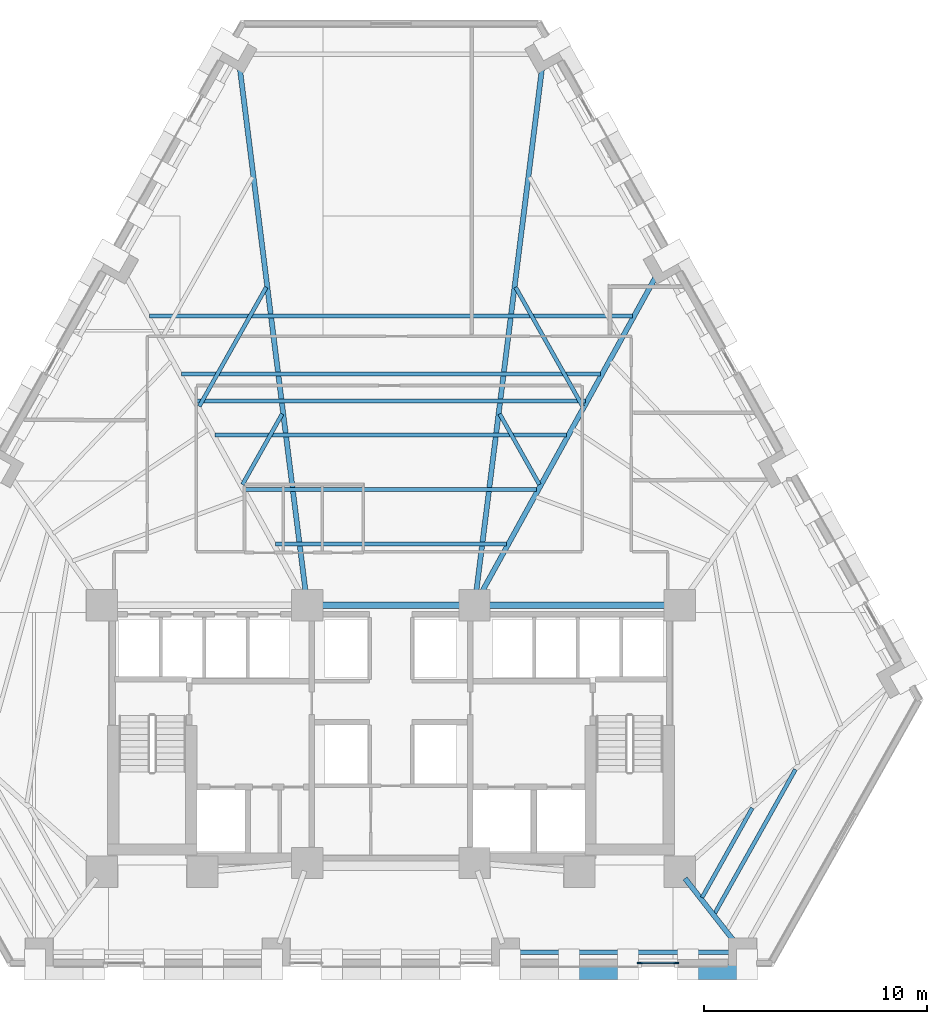
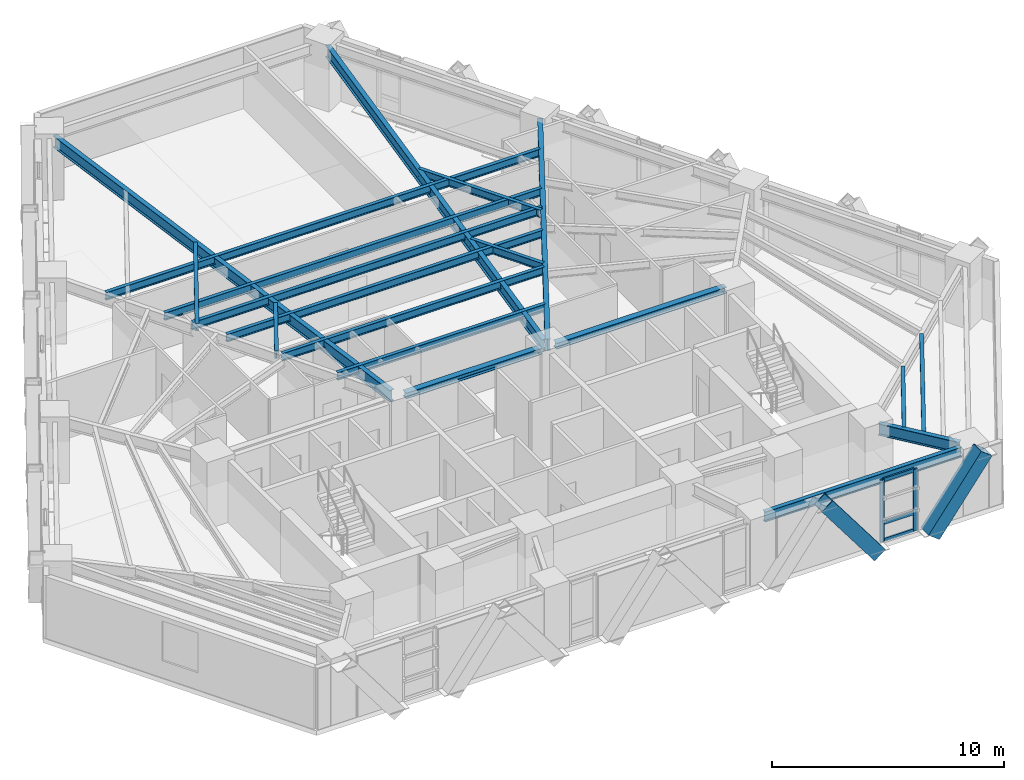
# One storey, part 3 of 13: 19 beams, 7 members, 1 element without a shape of its own.
"""IFC4 building model written with IfcOpenShell, lengths in metres."""

from ifc_helpers import new_model, si_unit, direction, frame, origin, origin_2d, place, context, subcontext, project, spatial, rectangle, hollow_rectangle, i_section, extrude, material, material_profile, profile_set, type_object, element, aggregate, save


model = new_model("IFC4")

# Units and contexts
model_context = context("Model", 3, precision=1e-05, world=origin(), true_north=direction((0.0, 1.0)))
body_context = subcontext(model_context, "Body", "Model", "MODEL_VIEW")
ifc_project = project(units=[si_unit("LENGTHUNIT", "METRE"), si_unit("AREAUNIT", "SQUARE_METRE"), si_unit("VOLUMEUNIT", "CUBIC_METRE"), si_unit("PLANEANGLEUNIT", "RADIAN"), si_unit("MASSUNIT", "GRAM", prefix="KILO")], contexts=[model_context])

# Site, building, storey
site_placement = place(None, origin())
site = spatial("IfcSite", under=ifc_project, at=site_placement, CompositionType="ELEMENT")
building_placement = place(site_placement, origin())
building = spatial("IfcBuilding", under=site, at=building_placement, Name="Quenlor Broadcast Tower", CompositionType="ELEMENT")
storey_placement = place(building_placement, frame((0.0, 0.0, 45.10009765625)))
storey = spatial("IfcBuildingStorey", under=building, at=storey_placement, Name="L11", CompositionType="ELEMENT", Elevation=45.10009765625)

# Curtain wall, members
ifc_material_1 = material(Name="Architectural Terracotta and Low-E Glazing", Category="masonry")
curtain_wall_type = type_object("IfcCurtainWallType", Name="Unitised Terracotta Curtain Wall System Z1", PredefinedType="NOTDEFINED", material=ifc_material_1)
curtain_wall_placement = place(storey_placement, origin())
curtain_wall = element("IfcCurtainWall", 1, at=curtain_wall_placement, inside=storey, type_object=curtain_wall_type, Name="L11 Curtain Wall CW1 (L11-SA-G1)", PredefinedType="NOTDEFINED")
ifc_material_2 = material(Name="Aluminium 6063-T6", Category="aluminium")
ifc_material_profile_1 = material_profile(ifc_material_2, rectangle(XDim=0.080078125, YDim=0.219970703125, at=origin_2d()))
ifc_profile_set_1 = profile_set([ifc_material_profile_1], Name="Aluminium 6063-T6 MULL80x220")
member_type_1 = type_object("IfcMemberType", Name="CW1 Aluminium Mullion MULL_CW1", PredefinedType="MULLION", material=ifc_profile_set_1)
member_1_placement = place(storey_placement, frame((12.794921875, -20.840087890625, 0.0), z_axis=(0.0, 0.0, 1.0), x_axis=(0.0, -1.0, 0.0)))
member_1 = element("IfcMember", 2, at=member_1_placement, type_object=member_type_1, Name="CW1 mullion 1", PredefinedType="MULLION", context=body_context, shape_type="SweptSolid", body=[
    extrude(rectangle(XDim=0.080078125, YDim=0.219970703125, at=origin_2d()), origin(), (0.0, 0.0, 1.0), 3.25),
])
member_2_placement = place(storey_placement, frame((11.146484375, -20.840087890625, 0.0), z_axis=(0.0, 0.0, 1.0), x_axis=(0.0, -1.0, 0.0)))
member_2 = element("IfcMember", 3, at=member_2_placement, type_object=member_type_1, Name="CW1 mullion 2", PredefinedType="MULLION", context=body_context, shape_type="SweptSolid", body=[
    extrude(rectangle(XDim=0.080078125, YDim=0.219970703125, at=origin_2d()), origin(), (0.0, 0.0, 1.0), 3.25),
])
ifc_material_3 = material(Name="Aluminium 6063-T6", Category="aluminium")
ifc_material_profile_2 = material_profile(ifc_material_3, rectangle(XDim=0.080078125, YDim=0.179931640625, at=origin_2d()))
ifc_profile_set_2 = profile_set([ifc_material_profile_2], Name="Aluminium 6063-T6 TRAN80x180")
member_type_2 = type_object("IfcMemberType", Name="CW1 Aluminium Transom TRAN_CW1", PredefinedType="USERDEFINED", material=ifc_profile_set_2)
member_3_placement = place(storey_placement, frame((12.7548828125, -20.840087890625, 0.039794921875), z_axis=(-1.0, 0.0, 0.0), x_axis=(0.0, -1.0, 0.0)))
member_3 = element("IfcMember", 4, at=member_3_placement, type_object=member_type_2, Name="CW1 transom 1.1", ObjectType="TRANSOM", PredefinedType="USERDEFINED", context=body_context, shape_type="SweptSolid", body=[
    extrude(rectangle(XDim=0.080078125, YDim=0.179931640625, at=origin_2d()), origin(), (0.0, 0.0, 1.0), 1.568359375),
])
member_4_placement = place(storey_placement, frame((12.7548828125, -20.840087890625, 0.949951171875), z_axis=(-1.0, 0.0, 0.0), x_axis=(0.0, -1.0, 0.0)))
member_4 = element("IfcMember", 5, at=member_4_placement, type_object=member_type_2, Name="CW1 transom 1.2", ObjectType="TRANSOM", PredefinedType="USERDEFINED", context=body_context, shape_type="SweptSolid", body=[
    extrude(rectangle(XDim=0.080078125, YDim=0.179931640625, at=origin_2d()), origin(), (0.0, 0.0, 1.0), 1.568359375),
])
member_5_placement = place(storey_placement, frame((12.7548828125, -20.840087890625, 3.2099609375), z_axis=(-1.0, 0.0, 0.0), x_axis=(0.0, -1.0, 0.0)))
member_5 = element("IfcMember", 6, at=member_5_placement, type_object=member_type_2, Name="CW1 transom 1.3", ObjectType="TRANSOM", PredefinedType="USERDEFINED", context=body_context, shape_type="SweptSolid", body=[
    extrude(rectangle(XDim=0.080078125, YDim=0.179931640625, at=origin_2d()), origin(), (0.0, 0.0, 1.0), 1.568359375),
])
aggregate(curtain_wall, [member_1, member_2, member_3, member_4, member_5])

# Beams
ifc_material_4 = material(Name="Steel S355", Category="steel")
ifc_material_profile_3 = material_profile(ifc_material_4, i_section(OverallWidth=0.304931640625, OverallDepth=0.30810546875, WebThickness=0.010009765625, FlangeThickness=0.015380859375, FilletRadius=0.0166015625, at=origin_2d()))
ifc_profile_set_3 = profile_set([ifc_material_profile_3], Name="Steel S355 310UC96.8")
beam_type_1 = type_object("IfcBeamType", Name="Core Header Beam Steel S355 310UC96.8", PredefinedType="BEAM", material=ifc_profile_set_3)
beam_1_placement = place(storey_placement, frame((-3.389892578125, -4.800048828125, 3.095947265625), z_axis=(1.0, 0.0, 0.0), x_axis=(0.0, 1.0, 0.0)))
element("IfcBeam", 7, at=beam_1_placement, inside=storey, type_object=beam_type_1, Name="L11 Core Header Beam 2", PredefinedType="BEAM", context=body_context, shape_type="SweptSolid", body=[
    extrude(i_section(OverallWidth=0.304931640625, OverallDepth=0.30810546875, WebThickness=0.010009765625, FlangeThickness=0.015380859375, FilletRadius=0.0166015625, at=origin_2d()), origin(), (0.0, 0.0, 1.0), 6.77978515625),
])
ifc_material_5 = material(Name="Steel S355", Category="steel")
ifc_material_profile_4 = material_profile(ifc_material_5, i_section(OverallWidth=0.306884765625, OverallDepth=0.314697265625, WebThickness=0.011962890625, FlangeThickness=0.018798828125, FilletRadius=0.0166015625, at=origin_2d()))
ifc_profile_set_4 = profile_set([ifc_material_profile_4], Name="Steel S355 310UC118")
beam_type_2 = type_object("IfcBeamType", Name="Core Tie Beam Steel S355 310UC118", PredefinedType="BEAM", material=ifc_profile_set_4)
beam_2_placement = place(storey_placement, frame((4.110107421875, -4.800048828125, 3.092529296875), z_axis=(1.0, 0.0, 0.0), x_axis=(0.0, 1.0, 0.0)))
element("IfcBeam", 8, at=beam_2_placement, inside=storey, type_object=beam_type_2, Name="L11 Core Tie Beam 3", PredefinedType="BEAM", context=body_context, shape_type="SweptSolid", body=[
    extrude(i_section(OverallWidth=0.306884765625, OverallDepth=0.314697265625, WebThickness=0.011962890625, FlangeThickness=0.018798828125, FilletRadius=0.0166015625, at=origin_2d()), origin(), (0.0, 0.0, 1.0), 8.47998046875),
])

# Members
ifc_material_6 = material(Name="Steel S355", Category="steel")
ifc_material_profile_5 = material_profile(ifc_material_6, hollow_rectangle(XDim=0.679931640625, YDim=0.679931640625, WallThickness=0.034912109375, at=origin_2d()))
ifc_profile_set_5 = profile_set([ifc_material_profile_5], Name="Steel S355 RHS680x680x35")
member_type_3 = type_object("IfcMemberType", Name="Perimeter Diagonal Lattice Brace Z1 Steel S355 RHS680x35", PredefinedType="BRACE", material=ifc_profile_set_5)
for number, where, z_axis, x_axis, name in (
    (9, (10.624755859375, -21.235107421875, -0.1201171875), (-0.600463982679, 0.0, 0.799651802665), (0.0, -1.0, 0.0), "L11 Perimeter Diamond Lattice S-C1S"),
    (10, (13.31689453125, -21.235107421875, -0.1201171875), (0.600463982679, 0.0, 0.799651802665), (0.0, 1.0, 0.0), "L11 Perimeter Diamond Lattice S-C1B"),
):
    element("IfcMember", number, at=place(storey_placement, frame(where, z_axis=z_axis, x_axis=x_axis)), inside=storey, type_object=member_type_3, Name=name, PredefinedType="BRACE", context=body_context, shape_type="SweptSolid", body=[
        extrude(hollow_rectangle(XDim=0.679931640625, YDim=0.679931640625, WallThickness=0.034912109375, at=origin_2d()), origin(), (0.0, 0.0, 1.0), 4.376953125),
    ])

# Beams
ifc_material_7 = material(Name="Steel S355", Category="steel")
ifc_material_profile_6 = material_profile(ifc_material_7, i_section(OverallWidth=0.208984375, OverallDepth=0.532958984375, WebThickness=0.01025390625, FlangeThickness=0.015625, FilletRadius=0.013916015625, at=origin_2d()))
ifc_profile_set_6 = profile_set([ifc_material_profile_6], Name="Steel S355 530UB92.4")
beam_type_3 = type_object("IfcBeamType", Name="Perimeter Spandrel Beam Z1 Steel S355 530UB92.4", PredefinedType="SPANDREL", material=ifc_profile_set_6)
beam_3_placement = place(storey_placement, frame((5.55078125, -20.35009765625, 2.9833984375), z_axis=(1.0, 0.0, 0.0), x_axis=(0.0, 1.0, 0.0)))
element("IfcBeam", 11, at=beam_3_placement, inside=storey, type_object=beam_type_3, Name="L11 Spandrel Beam S3-S4", PredefinedType="SPANDREL", context=body_context, shape_type="SweptSolid", body=[
    extrude(i_section(OverallWidth=0.208984375, OverallDepth=0.532958984375, WebThickness=0.01025390625, FlangeThickness=0.015625, FilletRadius=0.013916015625, at=origin_2d()), origin(), (0.0, 0.0, 1.0), 9.80419921875),
])
ifc_material_8 = material(Name="Steel S355", Category="steel")
ifc_material_profile_7 = material_profile(ifc_material_8, i_section(OverallWidth=0.177978515625, OverallDepth=0.406494140625, WebThickness=0.0078125, FlangeThickness=0.0126953125, FilletRadius=0.011474609375, at=origin_2d()))
ifc_profile_set_7 = profile_set([ifc_material_profile_7], Name="Steel S355 410UB59.7")
beam_type_4 = type_object("IfcBeamType", Name="Tower Composite Joist Z1 Steel S355 410UB59.7", PredefinedType="JOIST", material=ifc_profile_set_7)
beam_4_placement = place(storey_placement, frame((-5.184326171875, -2.0546875, 3.046630859375), z_axis=(1.0, 0.0, 0.0), x_axis=(0.0, 1.0, 0.0)))
element("IfcBeam", 12, at=beam_4_placement, inside=storey, type_object=beam_type_4, Name="L11 Secondary Composite Joist 1", PredefinedType="JOIST", context=body_context, shape_type="SweptSolid", body=[
    extrude(i_section(OverallWidth=0.177978515625, OverallDepth=0.406494140625, WebThickness=0.0078125, FlangeThickness=0.0126953125, FilletRadius=0.011474609375, at=origin_2d()), origin(), (0.0, 0.0, 1.0), 10.36865234375),
])
beam_5_placement = place(storey_placement, frame((-8.718017578125, 4.3505859375, 3.046630859375), z_axis=(1.0, 0.0, 0.0), x_axis=(0.0, 1.0, 0.0)))
element("IfcBeam", 13, at=beam_5_placement, inside=storey, type_object=beam_type_4, Name="L11 Secondary Composite Joist 2", PredefinedType="JOIST", context=body_context, shape_type="SweptSolid", body=[
    extrude(i_section(OverallWidth=0.177978515625, OverallDepth=0.406494140625, WebThickness=0.0078125, FlangeThickness=0.0126953125, FilletRadius=0.011474609375, at=origin_2d()), origin(), (0.0, 0.0, 1.0), 17.43603515625),
])
beam_6_placement = place(storey_placement, frame((-6.530517578125, 0.38525390625, 3.046630859375), z_axis=(1.0, 0.0, 0.0), x_axis=(0.0, 1.0, 0.0)))
element("IfcBeam", 14, at=beam_6_placement, inside=storey, type_object=beam_type_4, Name="L11 Secondary Composite Joist 3", PredefinedType="JOIST", context=body_context, shape_type="SweptSolid", body=[
    extrude(i_section(OverallWidth=0.177978515625, OverallDepth=0.406494140625, WebThickness=0.0078125, FlangeThickness=0.0126953125, FilletRadius=0.011474609375, at=origin_2d()), origin(), (0.0, 0.0, 1.0), 13.06103515625),
])
beam_7_placement = place(storey_placement, frame((-7.87646484375, 2.825439453125, 3.046630859375), z_axis=(1.0, 0.0, 0.0), x_axis=(0.0, 1.0, 0.0)))
element("IfcBeam", 15, at=beam_7_placement, inside=storey, type_object=beam_type_4, Name="L11 Secondary Composite Joist 4", PredefinedType="JOIST", context=body_context, shape_type="SweptSolid", body=[
    extrude(i_section(OverallWidth=0.177978515625, OverallDepth=0.406494140625, WebThickness=0.0078125, FlangeThickness=0.0126953125, FilletRadius=0.011474609375, at=origin_2d()), origin(), (0.0, 0.0, 1.0), 15.7529296875),
])
beam_8_placement = place(storey_placement, frame((-9.390869140625, 5.570556640625, 3.046630859375), z_axis=(1.0, 0.0, 0.0), x_axis=(0.0, 1.0, 0.0)))
element("IfcBeam", 16, at=beam_8_placement, inside=storey, type_object=beam_type_4, Name="L11 Secondary Composite Joist 5", PredefinedType="JOIST", context=body_context, shape_type="SweptSolid", body=[
    extrude(i_section(OverallWidth=0.177978515625, OverallDepth=0.406494140625, WebThickness=0.0078125, FlangeThickness=0.0126953125, FilletRadius=0.011474609375, at=origin_2d()), origin(), (0.0, 0.0, 1.0), 18.78173828125),
])
beam_9_placement = place(storey_placement, frame((-10.821044921875, 8.163330078125, 3.046630859375), z_axis=(1.0, 0.0, 0.0), x_axis=(0.0, 1.0, 0.0)))
element("IfcBeam", 17, at=beam_9_placement, inside=storey, type_object=beam_type_4, Name="L11 Secondary Composite Joist 6", PredefinedType="JOIST", context=body_context, shape_type="SweptSolid", body=[
    extrude(i_section(OverallWidth=0.177978515625, OverallDepth=0.406494140625, WebThickness=0.0078125, FlangeThickness=0.0126953125, FilletRadius=0.011474609375, at=origin_2d()), origin(), (0.0, 0.0, 1.0), 21.64208984375),
])
beam_10_placement = place(storey_placement, frame((13.9462890625, -17.904296875, 3.046630859375), z_axis=(0.489062021968, 0.872249011848, 0.0), x_axis=(-0.872249011848, 0.489062021968, 0.0)))
element("IfcBeam", 18, at=beam_10_placement, inside=storey, type_object=beam_type_4, Name="L11 Secondary Composite Joist 22", PredefinedType="JOIST", context=body_context, shape_type="SweptSolid", body=[
    extrude(i_section(OverallWidth=0.177978515625, OverallDepth=0.406494140625, WebThickness=0.0078125, FlangeThickness=0.0126953125, FilletRadius=0.011474609375, at=origin_2d()), origin(), (0.0, 0.0, 1.0), 4.6025390625),
])
beam_11_placement = place(storey_placement, frame((14.50927734375, -18.624267578125, 3.046630859375), z_axis=(0.489088249322, 0.872234305892, 0.0), x_axis=(-0.872234305892, 0.489088249322, 0.0)))
element("IfcBeam", 19, at=beam_11_placement, inside=storey, type_object=beam_type_4, Name="L11 Secondary Composite Joist 23", PredefinedType="JOIST", context=body_context, shape_type="SweptSolid", body=[
    extrude(i_section(OverallWidth=0.177978515625, OverallDepth=0.406494140625, WebThickness=0.0078125, FlangeThickness=0.0126953125, FilletRadius=0.011474609375, at=origin_2d()), origin(), (0.0, 0.0, 1.0), 7.404296875),
])
beam_12_placement = place(storey_placement, frame((-4.87451171875, 3.7734375, 3.046630859375), z_axis=(-0.490286766726, -0.871561177642, 0.0), x_axis=(0.871561177642, -0.490286766726, 0.0)))
element("IfcBeam", 20, at=beam_12_placement, inside=storey, type_object=beam_type_4, Name="L11 Secondary Composite Joist 25", PredefinedType="JOIST", context=body_context, shape_type="SweptSolid", body=[
    extrude(i_section(OverallWidth=0.177978515625, OverallDepth=0.406494140625, WebThickness=0.0078125, FlangeThickness=0.0126953125, FilletRadius=0.011474609375, at=origin_2d()), origin(), (0.0, 0.0, 1.0), 3.632568359375),
])
beam_13_placement = place(storey_placement, frame((-5.587646484375, 9.453125, 3.046630859375), z_axis=(-0.490276380443, -0.871567020246, 0.0), x_axis=(0.871567020246, -0.490276380443, 0.0)))
element("IfcBeam", 21, at=beam_13_placement, inside=storey, type_object=beam_type_4, Name="L11 Secondary Composite Joist 26", PredefinedType="JOIST", context=body_context, shape_type="SweptSolid", body=[
    extrude(i_section(OverallWidth=0.177978515625, OverallDepth=0.406494140625, WebThickness=0.0078125, FlangeThickness=0.0126953125, FilletRadius=0.011474609375, at=origin_2d()), origin(), (0.0, 0.0, 1.0), 6.12451171875),
])
beam_14_placement = place(storey_placement, frame((4.87451171875, 3.7734375, 3.046630859375), z_axis=(0.490286766726, -0.871561177642, 0.0), x_axis=(0.871561177642, 0.490286766726, 0.0)))
element("IfcBeam", 22, at=beam_14_placement, inside=storey, type_object=beam_type_4, Name="L11 Secondary Composite Joist 28", PredefinedType="JOIST", context=body_context, shape_type="SweptSolid", body=[
    extrude(i_section(OverallWidth=0.177978515625, OverallDepth=0.406494140625, WebThickness=0.0078125, FlangeThickness=0.0126953125, FilletRadius=0.011474609375, at=origin_2d()), origin(), (0.0, 0.0, 1.0), 3.632568359375),
])
beam_15_placement = place(storey_placement, frame((5.587646484375, 9.453125, 3.046630859375), z_axis=(0.490276380443, -0.871567020246, 0.0), x_axis=(0.871567020246, 0.490276380443, 0.0)))
element("IfcBeam", 23, at=beam_15_placement, inside=storey, type_object=beam_type_4, Name="L11 Secondary Composite Joist 29", PredefinedType="JOIST", context=body_context, shape_type="SweptSolid", body=[
    extrude(i_section(OverallWidth=0.177978515625, OverallDepth=0.406494140625, WebThickness=0.0078125, FlangeThickness=0.0126953125, FilletRadius=0.011474609375, at=origin_2d()), origin(), (0.0, 0.0, 1.0), 6.12451171875),
])
ifc_material_9 = material(Name="Steel S355", Category="steel")
ifc_material_profile_8 = material_profile(ifc_material_9, i_section(OverallWidth=0.22900390625, OverallDepth=0.611572265625, WebThickness=0.011962890625, FlangeThickness=0.01953125, FilletRadius=0.013916015625, at=origin_2d()))
ifc_profile_set_8 = profile_set([ifc_material_profile_8], Name="Steel S355 610UB125")
beam_type_5 = type_object("IfcBeamType", Name="Tower Primary Floor Beam Z1 Steel S355 610UB125", PredefinedType="BEAM", material=ifc_profile_set_8)
beam_16_placement = place(storey_placement, frame((15.512451171875, -20.027099609375, 2.944091796875), z_axis=(-0.615968610193, 0.78777069713, 0.0), x_axis=(-0.78777069713, -0.615968610193, 0.0)))
element("IfcBeam", 24, at=beam_16_placement, inside=storey, type_object=beam_type_5, Name="L11 Primary Radial Beam S4", PredefinedType="BEAM", context=body_context, shape_type="SweptSolid", body=[
    extrude(i_section(OverallWidth=0.22900390625, OverallDepth=0.611572265625, WebThickness=0.011962890625, FlangeThickness=0.01953125, FilletRadius=0.013916015625, at=origin_2d()), origin(), (0.0, 0.0, 1.0), 3.780029296875),
])
beam_17_placement = place(storey_placement, frame((11.965087890625, 10.091796875, 2.944091796875), z_axis=(-0.483026493693, -0.875605736842, 0.0), x_axis=(0.875605736842, -0.483026493693, 0.0)))
element("IfcBeam", 25, at=beam_17_placement, inside=storey, type_object=beam_type_5, Name="L11 Primary Radial Beam NE3", PredefinedType="BEAM", context=body_context, shape_type="SweptSolid", body=[
    extrude(i_section(OverallWidth=0.22900390625, OverallDepth=0.611572265625, WebThickness=0.011962890625, FlangeThickness=0.01953125, FilletRadius=0.013916015625, at=origin_2d()), origin(), (0.0, 0.0, 1.0), 16.62744140625),
])
for number, where, z_axis, x_axis, name in (
    (26, (6.7998046875, 19.48779296875, 2.944091796875), (-0.124589575762, -0.99220836401, 0.0), (0.99220836401, -0.124589575762, 0.0), "L11 Primary Radial Beam NE4"),
    (27, (-6.7998046875, 19.48779296875, 2.944091796875), (0.124589575762, -0.99220836401, 0.0), (0.99220836401, 0.124589575762, 0.0), "L11 Primary Radial Beam NW1"),
):
    element("IfcBeam", number, at=place(storey_placement, frame(where, z_axis=z_axis, x_axis=x_axis)), inside=storey, type_object=beam_type_5, Name=name, PredefinedType="BEAM", context=body_context, shape_type="SweptSolid", body=[
        extrude(i_section(OverallWidth=0.22900390625, OverallDepth=0.611572265625, WebThickness=0.011962890625, FlangeThickness=0.01953125, FilletRadius=0.013916015625, at=origin_2d()), origin(), (0.0, 0.0, 1.0), 24.0986328125),
    ])

save(model, "model.ifc")
